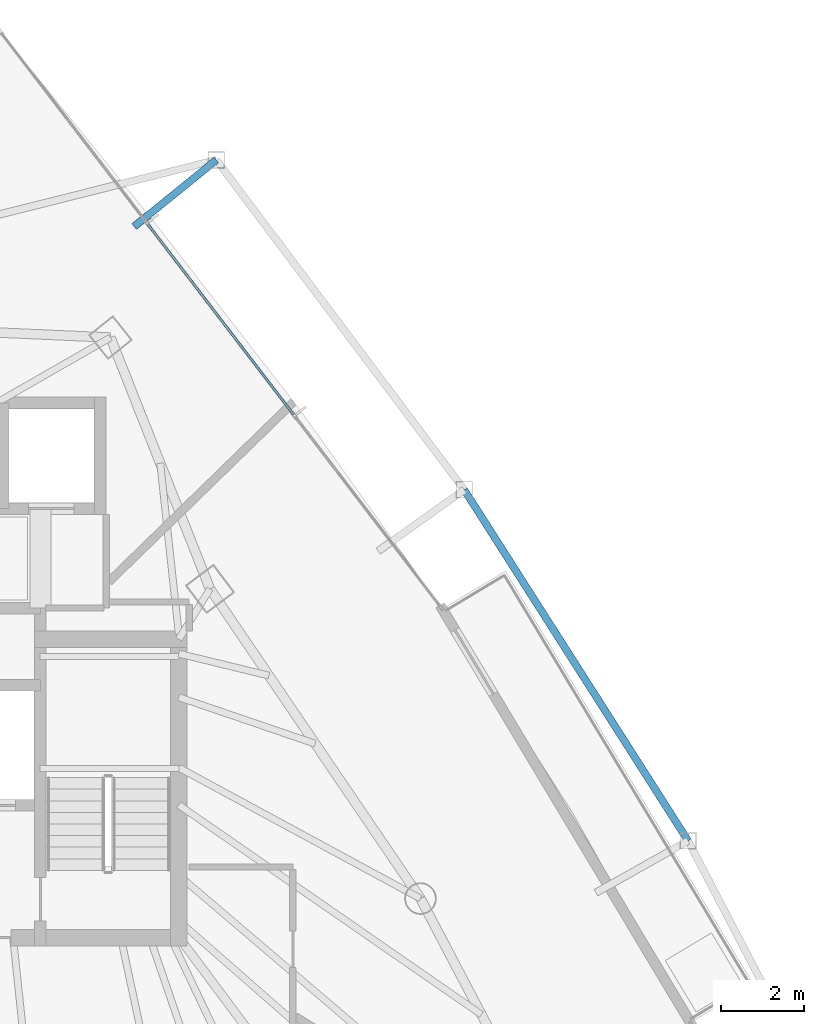
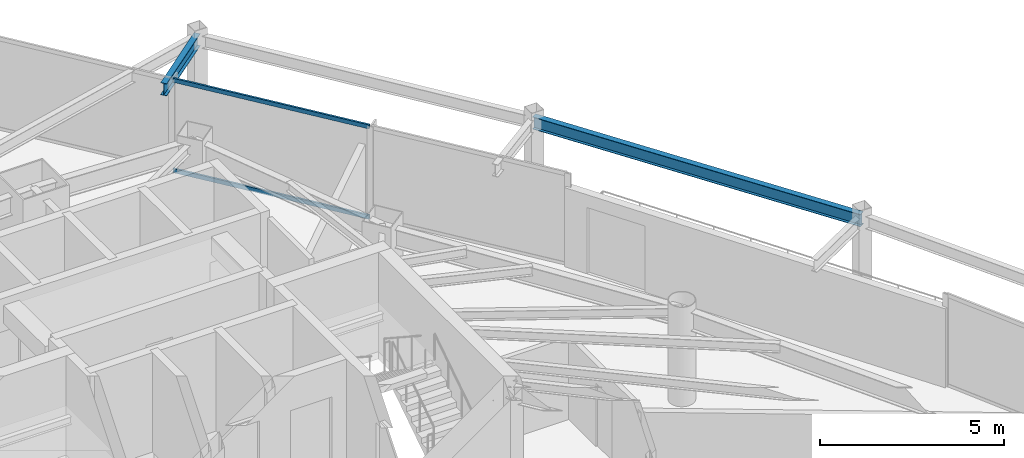
# One storey, part 23 of 31: 2 beams, 2 members, 1 element without a shape of its own.
"""IFC4 building model written with IfcOpenShell, lengths in metres."""

from ifc_helpers import new_model, si_unit, direction, frame, origin, origin_2d, place, context, subcontext, project, spatial, hollow_rectangle, i_section, extrude, material, layer, layer_set, material_profile, profile_set, type_object, element, aggregate, save


model = new_model("IFC4")

# Units and contexts
model_context = context("Model", 3, precision=1e-05, world=origin(), true_north=direction((0.0, 1.0)))
body_context = subcontext(model_context, "Body", "Model", "MODEL_VIEW")
ifc_project = project(units=[si_unit("LENGTHUNIT", "METRE"), si_unit("AREAUNIT", "SQUARE_METRE"), si_unit("VOLUMEUNIT", "CUBIC_METRE"), si_unit("PLANEANGLEUNIT", "RADIAN"), si_unit("MASSUNIT", "GRAM", prefix="KILO")], contexts=[model_context])

# Site, building, storey
site_placement = place(None, origin())
site = spatial("IfcSite", under=ifc_project, at=site_placement, CompositionType="ELEMENT")
building_placement = place(site_placement, origin())
building = spatial("IfcBuilding", under=site, at=building_placement, Name="Orvanel Arch Residences", CompositionType="ELEMENT")
storey_placement = place(building_placement, frame((0.0, 0.0, 110.0)))
storey = spatial("IfcBuildingStorey", under=building, at=storey_placement, Name="L30", CompositionType="ELEMENT", Elevation=110.0)

# Beams
ifc_material_1 = material(Name="Structural steel AS/NZS 3679.1 Grade 300 (300 MPa)", Category="steel")
ifc_material_profile_1 = material_profile(ifc_material_1, i_section(OverallWidth=0.177978515625, OverallDepth=0.406005859375, WebThickness=0.0078125, FlangeThickness=0.0126953125, at=origin_2d()), Name="410UB59.7")
ifc_profile_set_1 = profile_set([ifc_material_profile_1], Name="Structural steel AS/NZS 3679.1 Grade 300 (300 MPa)")
beam_type = type_object("IfcBeamType", Name="OB-410UB-EXT", PredefinedType="SPANDREL", material=ifc_profile_set_1)
beam_1_placement = place(storey_placement, frame((51.888916015625, 29.032958984375, 2.85693359375), z_axis=(-0.537697483728, 0.843137839261, 0.0), x_axis=(-0.843137839261, -0.537697483728, 0.0)))
element("IfcBeam", 1, at=beam_1_placement, inside=storey, type_object=beam_type, Name="L30 Outer Perimeter Floor Ring Beam 10", PredefinedType="SPANDREL", context=body_context, shape_type="SweptSolid", body=[
    extrude(i_section(OverallWidth=0.177978515625, OverallDepth=0.406005859375, WebThickness=0.0078125, FlangeThickness=0.0126953125, at=origin_2d()), origin(), (0.0, 0.0, 1.0), 10.048095703125),
])
beam_2_placement = place(storey_placement, frame((38.52294921875, 43.85693359375, 2.85693359375), z_axis=(0.777137851451, 0.629330405942, 0.0), x_axis=(-0.629330405942, 0.777137851451, 0.0)))
element("IfcBeam", 2, at=beam_2_placement, inside=storey, type_object=beam_type, Name="L30 Outer Frame Radial Tie Beam 12", PredefinedType="SPANDREL", context=body_context, shape_type="SweptSolid", body=[
    extrude(i_section(OverallWidth=0.177978515625, OverallDepth=0.406005859375, WebThickness=0.0078125, FlangeThickness=0.0126953125, at=origin_2d()), origin(), (0.0, 0.0, 1.0), 2.55029296875),
])

# Curtain wall, members
ifc_material_2 = material(Name="Bronze-anodised aluminium AA6063-T6", Category="aluminium")
ifc_layer = layer(ifc_material_2, 0.179931640625)
ifc_layer_set = layer_set([ifc_layer], Name="Bronze-anodised aluminium AA6063-T6")
curtain_wall_type = type_object("IfcCurtainWallType", Name="CW3-MID-SYS", PredefinedType="NOTDEFINED", material=ifc_layer_set)
curtain_wall_placement = place(storey_placement, origin())
curtain_wall = element("IfcCurtainWall", 3, at=curtain_wall_placement, inside=storey, type_object=curtain_wall_type, Name="L30 CW3-MID-SYS Unitised Curtain Wall", PredefinedType="NOTDEFINED")
ifc_material_profile_2 = material_profile(ifc_material_2, hollow_rectangle(XDim=0.06005859375, YDim=0.135009765625, WallThickness=0.00390625, at=origin_2d()), Name="ALU135x60x4")
ifc_profile_set_2 = profile_set([ifc_material_profile_2], Name="Bronze-anodised aluminium AA6063-T6")
member_type = type_object("IfcMemberType", Name="TRN-135x60", PredefinedType="USERDEFINED", material=ifc_profile_set_2)
member_1_placement = place(storey_placement, frame((42.36669921875, 39.321044921875, 0.030029296875), z_axis=(-0.607893853719, 0.794018301181, 0.0), x_axis=(-0.794018301181, -0.607893853719, 0.0)))
member_1 = element("IfcMember", 4, at=member_1_placement, type_object=member_type, Name="CW-S3 transom 2.1", ObjectType="TRANSOM", PredefinedType="USERDEFINED", context=body_context, shape_type="SweptSolid", body=[
    extrude(hollow_rectangle(XDim=0.06005859375, YDim=0.135009765625, WallThickness=0.00390625, at=origin_2d()), origin(), (0.0, 0.0, 1.0), 5.778076171875),
])
member_2_placement = place(storey_placement, frame((42.36669921875, 39.321044921875, 3.030029296875), z_axis=(-0.607893853719, 0.794018301181, 0.0), x_axis=(-0.794018301181, -0.607893853719, 0.0)))
member_2 = element("IfcMember", 5, at=member_2_placement, type_object=member_type, Name="CW-S3 transom 2.2", ObjectType="TRANSOM", PredefinedType="USERDEFINED", context=body_context, shape_type="SweptSolid", body=[
    extrude(hollow_rectangle(XDim=0.06005859375, YDim=0.135009765625, WallThickness=0.00390625, at=origin_2d()), origin(), (0.0, 0.0, 1.0), 5.778076171875),
])
aggregate(curtain_wall, [member_1, member_2])

save(model, "model.ifc")
